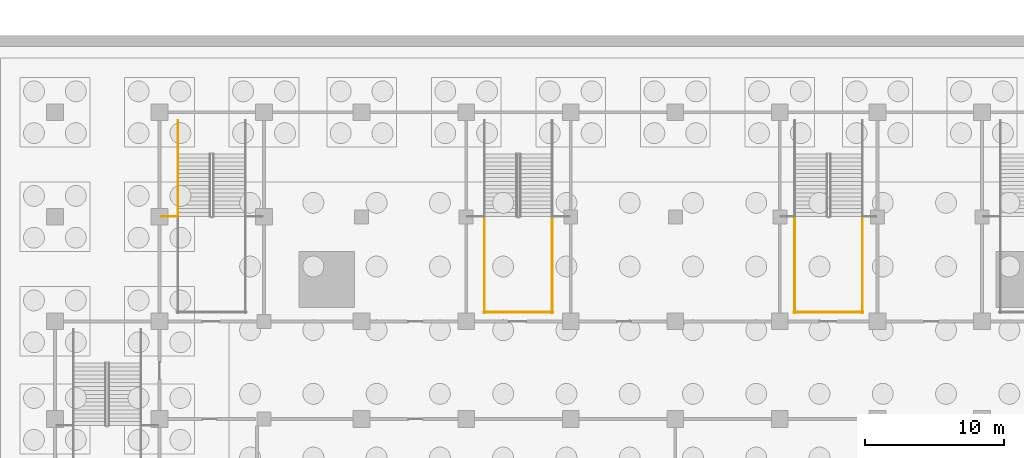
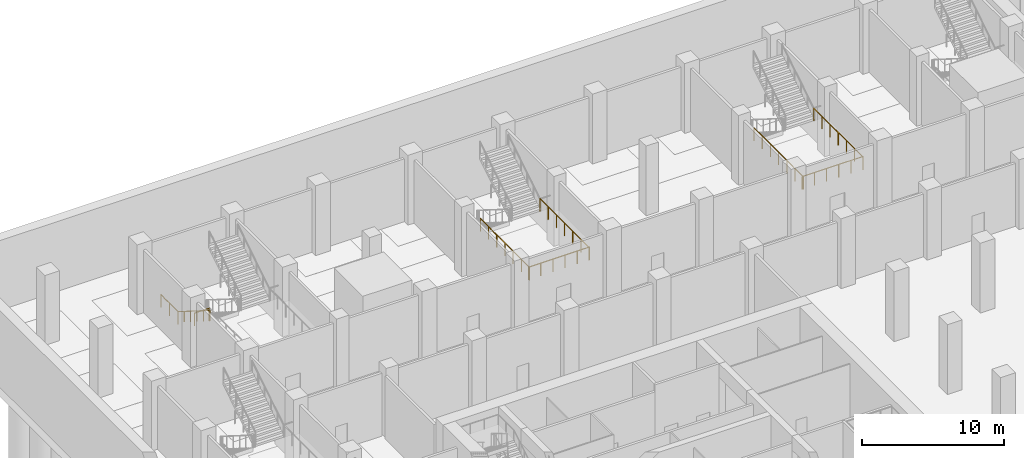
# One storey, part 31 of 39: 9 railings.
"""IFC4 building model written with IfcOpenShell, lengths in metres."""

from ifc_helpers import new_model, si_unit, direction, frame, origin, origin_2d, place, context, subcontext, project, spatial, circle, extrude, material, type_object, element, save


model = new_model("IFC4")

# Units and contexts
model_context = context("Model", 3, precision=1e-05, world=origin(), true_north=direction((0.0, 1.0)))
body_context = subcontext(model_context, "Body", "Model", "MODEL_VIEW")
ifc_project = project(units=[si_unit("LENGTHUNIT", "METRE"), si_unit("AREAUNIT", "SQUARE_METRE"), si_unit("VOLUMEUNIT", "CUBIC_METRE"), si_unit("PLANEANGLEUNIT", "RADIAN"), si_unit("MASSUNIT", "GRAM", prefix="KILO")], contexts=[model_context])

# Site, building, storey
site_placement = place(None, origin())
site = spatial("IfcSite", under=ifc_project, at=site_placement, CompositionType="ELEMENT")
building_placement = place(site_placement, origin())
building = spatial("IfcBuilding", under=site, at=building_placement, Name="Tamorin Gate", CompositionType="ELEMENT")
storey_placement = place(building_placement, frame((0.0, 0.0, -12.0)))
storey = spatial("IfcBuildingStorey", under=building, at=storey_placement, Name="B2", CompositionType="ELEMENT", Elevation=-12.0)

# Railings
ifc_material = material(Name="Steel", Category="steel")
railing_type_1 = type_object("IfcRailingType", Name="Podium guard 1100", PredefinedType="GUARDRAIL", material=ifc_material)
railing_1_placement = place(storey_placement, frame((24.324951171875, 111.39990234375, 0.0)))
element("IfcRailing", 1, at=railing_1_placement, inside=storey, type_object=railing_type_1, Name="B2 SB2 stair guard 8", PredefinedType="GUARDRAIL", context=body_context, shape_type="SweptSolid", body=[
    extrude(circle(Radius=0.02392578125, at=origin_2d()), frame((0.0, 0.0, 1.076171875), z_axis=(0.0, -1.0, 0.0), x_axis=(1.0, 0.0, 0.0)), (0.0, 0.0, 1.0), 2.39990234375),
    extrude(circle(Radius=0.02099609375, at=origin_2d()), origin(), (0.0, 0.0, 1.0), 1.052001953125),
    extrude(circle(Radius=0.02099609375, at=origin_2d()), frame((0.0, -1.199951171875, 0.0)), (0.0, 0.0, 1.0), 1.052001953125),
    extrude(circle(Radius=0.02099609375, at=origin_2d()), frame((0.0, -2.39990234375, 0.0)), (0.0, 0.0, 1.0), 1.052001953125),
])
railing_2_placement = place(storey_placement, frame((23.10009765625, 104.52001953125, 3.0)))
element("IfcRailing", 2, at=railing_2_placement, inside=storey, type_object=railing_type_1, Name="Landing edge guard", PredefinedType="GUARDRAIL", context=body_context, shape_type="SweptSolid", body=[
    extrude(circle(Radius=0.02392578125, at=origin_2d()), frame((0.0, 0.0, 1.076171875), z_axis=(1.0, 0.0, 0.0), x_axis=(0.0, 1.0, 0.0)), (0.0, 0.0, 1.0), 1.1748046875),
    extrude(circle(Radius=0.02099609375, at=origin_2d()), origin(), (0.0, 0.0, 1.0), 1.052001953125),
    extrude(circle(Radius=0.02099609375, at=origin_2d()), frame((1.1748046875, 0.0, 0.0)), (0.0, 0.0, 1.0), 1.052001953125),
])
for number, where, name in (
    (3, (46.324951171875, 104.52001953125, 3.0), "B2 SB3 stair guard 3"),
    (4, (51.175048828125, 104.52001953125, 3.0), "B2 SB3 stair guard 4"),
):
    element("IfcRailing", number, at=place(storey_placement, frame(where)), inside=storey, type_object=railing_type_1, Name=name, PredefinedType="GUARDRAIL", context=body_context, shape_type="SweptSolid", body=[
        extrude(circle(Radius=0.02392578125, at=origin_2d()), frame((0.0, 0.0, 1.076171875), z_axis=(0.0, -1.0, 0.0), x_axis=(1.0, 0.0, 0.0)), (0.0, 0.0, 1.0), 6.919921875),
        extrude(circle(Radius=0.02099609375, at=origin_2d()), origin(), (0.0, 0.0, 1.0), 1.052001953125),
        extrude(circle(Radius=0.02099609375, at=origin_2d()), frame((0.0, -1.1533203125, 0.0)), (0.0, 0.0, 1.0), 1.052001953125),
        extrude(circle(Radius=0.02099609375, at=origin_2d()), frame((0.0, -2.306640625, 0.0)), (0.0, 0.0, 1.0), 1.052001953125),
        extrude(circle(Radius=0.02099609375, at=origin_2d()), frame((0.0, -3.4599609375, 0.0)), (0.0, 0.0, 1.0), 1.052001953125),
        extrude(circle(Radius=0.02099609375, at=origin_2d()), frame((0.0, -4.61328125, 0.0)), (0.0, 0.0, 1.0), 1.052001953125),
        extrude(circle(Radius=0.02099609375, at=origin_2d()), frame((0.0, -5.7666015625, 0.0)), (0.0, 0.0, 1.0), 1.052001953125),
        extrude(circle(Radius=0.02099609375, at=origin_2d()), frame((0.0, -6.919921875, 0.0)), (0.0, 0.0, 1.0), 1.052001953125),
    ])
railing_3_placement = place(storey_placement, frame((46.27490234375, 97.64990234375, 3.0)))
element("IfcRailing", 5, at=railing_3_placement, inside=storey, type_object=railing_type_1, Name="B2 SB3 stair guard 5", PredefinedType="GUARDRAIL", context=body_context, shape_type="SweptSolid", body=[
    extrude(circle(Radius=0.02392578125, at=origin_2d()), frame((0.0, 0.0, 1.076171875), z_axis=(1.0, 0.0, 0.0), x_axis=(0.0, 1.0, 0.0)), (0.0, 0.0, 1.0), 4.9501953125),
    extrude(circle(Radius=0.02099609375, at=origin_2d()), origin(), (0.0, 0.0, 1.0), 1.052001953125),
    extrude(circle(Radius=0.02099609375, at=origin_2d()), frame((0.989990234375, 0.0, 0.0)), (0.0, 0.0, 1.0), 1.052001953125),
    extrude(circle(Radius=0.02099609375, at=origin_2d()), frame((1.97998046875, 0.0, 0.0)), (0.0, 0.0, 1.0), 1.052001953125),
    extrude(circle(Radius=0.02099609375, at=origin_2d()), frame((2.97021484375, 0.0, 0.0)), (0.0, 0.0, 1.0), 1.052001953125),
    extrude(circle(Radius=0.02099609375, at=origin_2d()), frame((3.960205078125, 0.0, 0.0)), (0.0, 0.0, 1.0), 1.052001953125),
    extrude(circle(Radius=0.02099609375, at=origin_2d()), frame((4.9501953125, 0.0, 0.0)), (0.0, 0.0, 1.0), 1.052001953125),
])
for number, where, name in (
    (6, (68.574951171875, 104.52001953125, 3.0), "B2 SB4 stair guard 3"),
    (7, (73.425048828125, 104.52001953125, 3.0), "B2 SB4 stair guard 4"),
):
    element("IfcRailing", number, at=place(storey_placement, frame(where)), inside=storey, type_object=railing_type_1, Name=name, PredefinedType="GUARDRAIL", context=body_context, shape_type="SweptSolid", body=[
        extrude(circle(Radius=0.02392578125, at=origin_2d()), frame((0.0, 0.0, 1.076171875), z_axis=(0.0, -1.0, 0.0), x_axis=(1.0, 0.0, 0.0)), (0.0, 0.0, 1.0), 6.919921875),
        extrude(circle(Radius=0.02099609375, at=origin_2d()), origin(), (0.0, 0.0, 1.0), 1.052001953125),
        extrude(circle(Radius=0.02099609375, at=origin_2d()), frame((0.0, -1.1533203125, 0.0)), (0.0, 0.0, 1.0), 1.052001953125),
        extrude(circle(Radius=0.02099609375, at=origin_2d()), frame((0.0, -2.306640625, 0.0)), (0.0, 0.0, 1.0), 1.052001953125),
        extrude(circle(Radius=0.02099609375, at=origin_2d()), frame((0.0, -3.4599609375, 0.0)), (0.0, 0.0, 1.0), 1.052001953125),
        extrude(circle(Radius=0.02099609375, at=origin_2d()), frame((0.0, -4.61328125, 0.0)), (0.0, 0.0, 1.0), 1.052001953125),
        extrude(circle(Radius=0.02099609375, at=origin_2d()), frame((0.0, -5.7666015625, 0.0)), (0.0, 0.0, 1.0), 1.052001953125),
        extrude(circle(Radius=0.02099609375, at=origin_2d()), frame((0.0, -6.919921875, 0.0)), (0.0, 0.0, 1.0), 1.052001953125),
    ])
railing_4_placement = place(storey_placement, frame((68.52490234375, 97.64990234375, 3.0)))
element("IfcRailing", 8, at=railing_4_placement, inside=storey, type_object=railing_type_1, Name="B2 SB4 stair guard 5", PredefinedType="GUARDRAIL", context=body_context, shape_type="SweptSolid", body=[
    extrude(circle(Radius=0.02392578125, at=origin_2d()), frame((0.0, 0.0, 1.076171875), z_axis=(1.0, 0.0, 0.0), x_axis=(0.0, 1.0, 0.0)), (0.0, 0.0, 1.0), 4.9501953125),
    extrude(circle(Radius=0.02099609375, at=origin_2d()), origin(), (0.0, 0.0, 1.0), 1.052001953125),
    extrude(circle(Radius=0.02099609375, at=origin_2d()), frame((0.989990234375, 0.0, 0.0)), (0.0, 0.0, 1.0), 1.052001953125),
    extrude(circle(Radius=0.02099609375, at=origin_2d()), frame((1.97998046875, 0.0, 0.0)), (0.0, 0.0, 1.0), 1.052001953125),
    extrude(circle(Radius=0.02099609375, at=origin_2d()), frame((2.97021484375, 0.0, 0.0)), (0.0, 0.0, 1.0), 1.052001953125),
    extrude(circle(Radius=0.02099609375, at=origin_2d()), frame((3.960205078125, 0.0, 0.0)), (0.0, 0.0, 1.0), 1.052001953125),
    extrude(circle(Radius=0.02099609375, at=origin_2d()), frame((4.9501953125, 0.0, 0.0)), (0.0, 0.0, 1.0), 1.052001953125),
])
railing_type_2 = type_object("IfcRailingType", Name="Podium stair handrail 900", PredefinedType="HANDRAIL", material=ifc_material)
railing_5_placement = place(storey_placement, frame((24.324951171875, 109.0, 0.176513671875)))
element("IfcRailing", 9, at=railing_5_placement, inside=storey, type_object=railing_type_2, Name="B2 SB2 stair handrail 1", PredefinedType="HANDRAIL", context=body_context, shape_type="SweptSolid", body=[
    extrude(circle(Radius=0.02392578125, at=origin_2d()), frame((0.0, 0.0, 0.8759765625), z_axis=(0.0, -0.845997938375, 0.533186166611), x_axis=(1.0, 0.0, 0.0)), (0.0, 0.0, 1.0), 5.29541015625),
    extrude(circle(Radius=0.02099609375, at=origin_2d()), origin(), (0.0, 0.0, 1.0), 0.851806640625),
    extrude(circle(Radius=0.02099609375, at=origin_2d()), frame((0.0, -0.89599609375, 0.564697265625)), (0.0, 0.0, 1.0), 0.851806640625),
    extrude(circle(Radius=0.02099609375, at=origin_2d()), frame((0.0, -1.7919921875, 1.12939453125)), (0.0, 0.0, 1.0), 0.851806640625),
    extrude(circle(Radius=0.02099609375, at=origin_2d()), frame((0.0, -2.68798828125, 1.694091796875)), (0.0, 0.0, 1.0), 0.851806640625),
    extrude(circle(Radius=0.02099609375, at=origin_2d()), frame((0.0, -3.583984375, 2.2587890625)), (0.0, 0.0, 1.0), 0.851806640625),
    extrude(circle(Radius=0.02099609375, at=origin_2d()), frame((0.0, -4.47998046875, 2.823486328125)), (0.0, 0.0, 1.0), 0.851806640625),
])

save(model, "model.ifc")
